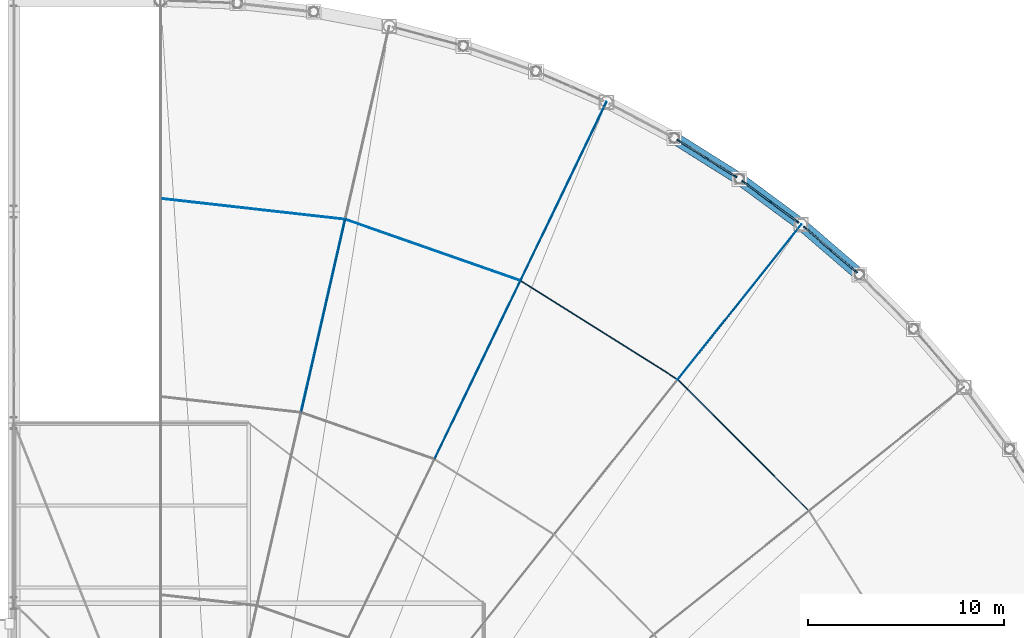
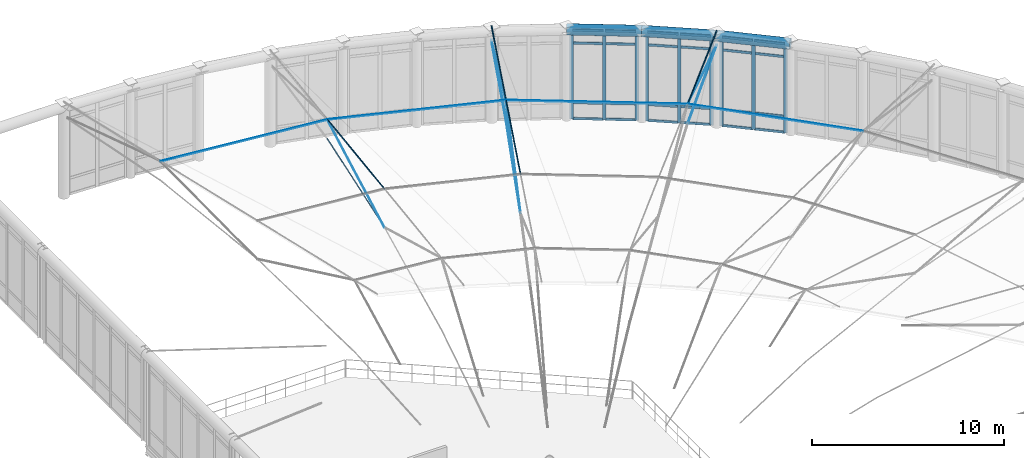
# One storey, part 59 of 101: 49 members, 3 beams, 3 elements without a shape of their own.
"""IFC4 building model written with IfcOpenShell, lengths in metres."""

from ifc_helpers import new_model, si_unit, direction, frame, origin, origin_2d, place, context, subcontext, project, spatial, rectangle, circle, hollow_circle, extrude, material, layer, layer_set, material_profile, profile_set, type_object, element, aggregate, save


model = new_model("IFC4")

# Units and contexts
model_context = context("Model", 3, precision=1e-05, world=origin(), true_north=direction((0.0, 1.0)))
body_context = subcontext(model_context, "Body", "Model", "MODEL_VIEW")
ifc_project = project(units=[si_unit("LENGTHUNIT", "METRE"), si_unit("AREAUNIT", "SQUARE_METRE"), si_unit("VOLUMEUNIT", "CUBIC_METRE"), si_unit("PLANEANGLEUNIT", "RADIAN"), si_unit("MASSUNIT", "GRAM", prefix="KILO"), si_unit("THERMODYNAMICTEMPERATUREUNIT", "KELVIN"), si_unit("POWERUNIT", "WATT")], contexts=[model_context])

# Site, building, storey
site_placement = place(None, origin())
site = spatial("IfcSite", under=ifc_project, at=site_placement, CompositionType="ELEMENT")
building_placement = place(site_placement, origin())
building = spatial("IfcBuilding", under=site, at=building_placement, Name="Tembeka Court Mobility Hub", CompositionType="ELEMENT")
storey_placement = place(building_placement, frame((0.0, 0.0, 5.39990234375)))
storey = spatial("IfcBuildingStorey", under=building, at=storey_placement, Name="L01", CompositionType="ELEMENT", Elevation=5.39990234375)

# Beams
ifc_material_1 = material(Name="Steel S355", Category="steel")
ifc_material_profile_1 = material_profile(ifc_material_1, hollow_circle(Radius=0.304931640625, WallThickness=0.02001953125, at=origin_2d()), Name="CHS 610x20")
ifc_profile_set_1 = profile_set([ifc_material_profile_1], Name="Steel S355")
beam_type = type_object("IfcBeamType", Name="BM-RB01", PredefinedType="BEAM", material=ifc_profile_set_1)
for number, where, z_axis, x_axis, name in (
    (1, (159.609130859375, 104.78515625, 5.695068359375), (-0.757955817926, 0.652305893022, 0.0), (-0.652305893022, -0.757955817926, 0.0), "Concourse compression ring beam RB01-12"),
    (2, (156.63330078125, 107.34619140625, 5.695068359375), (-0.804610156741, 0.593803415003, 0.0), (-0.593803415003, -0.804610156741, 0.0), "Concourse compression ring beam RB01-13"),
):
    element("IfcBeam", number, at=place(storey_placement, frame(where, z_axis=z_axis, x_axis=x_axis)), inside=storey, type_object=beam_type, Name=name, PredefinedType="BEAM", context=body_context, shape_type="SweptSolid", body=[
        extrude(hollow_circle(Radius=0.304931640625, WallThickness=0.02001953125, at=origin_2d()), origin(), (0.0, 0.0, 1.0), 3.926025390625),
    ])
beam_placement = place(storey_placement, frame((153.474365234375, 109.677490234375, 5.695068359375), z_axis=(-0.84672778991, 0.532026361935, 0.0), x_axis=(-0.532026361935, -0.84672778991, 0.0)))
element("IfcBeam", 3, at=beam_placement, inside=storey, type_object=beam_type, Name="Concourse compression ring beam RB01-14", PredefinedType="BEAM", context=body_context, shape_type="SweptSolid", body=[
    extrude(hollow_circle(Radius=0.304931640625, WallThickness=0.02001953125, at=origin_2d()), origin(), (0.0, 0.0, 1.0), 3.92626953125),
])

# Curtain wall, members
ifc_material_2 = material(Name="Anodised aluminium 6063-T6", Category="aluminium")
ifc_layer = layer(ifc_material_2, 0.199951171875)
ifc_layer_set = layer_set([ifc_layer], Name="Anodised aluminium 6063-T6")
curtain_wall_type = type_object("IfcCurtainWallType", Name="CW-SYS25", PredefinedType="USERDEFINED", material=ifc_layer_set)
curtain_wall_1_placement = place(storey_placement, origin())
curtain_wall_1 = element("IfcCurtainWall", 4, at=curtain_wall_1_placement, inside=storey, type_object=curtain_wall_type, Name="Unitised curtain wall CW25 (CW-L01-066)", ObjectType="UNITISED GLAZING", PredefinedType="USERDEFINED")
ifc_material_profile_2 = material_profile(ifc_material_2, rectangle(XDim=0.074951171875, YDim=0.199951171875, at=origin_2d()), Name="ALU-MUL 75x200")
ifc_profile_set_2 = profile_set([ifc_material_profile_2], Name="Anodised aluminium 6063-T6")
member_type_1 = type_object("IfcMemberType", Name="CW-MUL02", PredefinedType="MULLION", material=ifc_profile_set_2)
member_1_placement = place(storey_placement, frame((159.413818359375, 104.953125, 0.0), z_axis=(0.0, 0.0, 1.0), x_axis=(-0.652306690707, -0.757955131428, 0.0)))
member_1 = element("IfcMember", 5, at=member_1_placement, type_object=member_type_1, Name="CW25 mullion 1", PredefinedType="MULLION", context=body_context, shape_type="SweptSolid", body=[
    extrude(rectangle(XDim=0.074951171875, YDim=0.199951171875, at=origin_2d()), origin(), (0.0, 0.0, 1.0), 5.7001953125),
])
member_2_placement = place(storey_placement, frame((158.12109375, 106.065673828125, 0.0), z_axis=(0.0, 0.0, 1.0), x_axis=(-0.652306690707, -0.757955131428, 0.0)))
member_2 = element("IfcMember", 6, at=member_2_placement, type_object=member_type_1, Name="CW25 mullion 2", PredefinedType="MULLION", context=body_context, shape_type="SweptSolid", body=[
    extrude(rectangle(XDim=0.074951171875, YDim=0.199951171875, at=origin_2d()), origin(), (0.0, 0.0, 1.0), 5.7001953125),
])
member_3_placement = place(storey_placement, frame((156.828369140625, 107.17822265625, 0.0), z_axis=(0.0, 0.0, 1.0), x_axis=(-0.652306690707, -0.757955131428, 0.0)))
member_3 = element("IfcMember", 7, at=member_3_placement, type_object=member_type_1, Name="CW25 mullion 3", PredefinedType="MULLION", context=body_context, shape_type="SweptSolid", body=[
    extrude(rectangle(XDim=0.074951171875, YDim=0.199951171875, at=origin_2d()), origin(), (0.0, 0.0, 1.0), 5.7001953125),
])

curtain_wall_2_placement = place(storey_placement, origin())
curtain_wall_2 = element("IfcCurtainWall", 8, at=curtain_wall_2_placement, inside=storey, type_object=curtain_wall_type, Name="Unitised curtain wall CW25 (CW-L01-068)", ObjectType="UNITISED GLAZING", PredefinedType="USERDEFINED")
member_4_placement = place(storey_placement, frame((156.426025390625, 107.4990234375, 0.0), z_axis=(0.0, 0.0, 1.0), x_axis=(-0.593818252688, -0.804599206298, 0.0)))
member_4 = element("IfcMember", 9, at=member_4_placement, type_object=member_type_1, Name="CW25 mullion 1", PredefinedType="MULLION", context=body_context, shape_type="SweptSolid", body=[
    extrude(rectangle(XDim=0.074951171875, YDim=0.199951171875, at=origin_2d()), origin(), (0.0, 0.0, 1.0), 5.7001953125),
])
member_5_placement = place(storey_placement, frame((155.0537109375, 108.511962890625, 0.0), z_axis=(0.0, 0.0, 1.0), x_axis=(-0.593818252688, -0.804599206298, 0.0)))
member_5 = element("IfcMember", 10, at=member_5_placement, type_object=member_type_1, Name="CW25 mullion 2", PredefinedType="MULLION", context=body_context, shape_type="SweptSolid", body=[
    extrude(rectangle(XDim=0.074951171875, YDim=0.199951171875, at=origin_2d()), origin(), (0.0, 0.0, 1.0), 5.7001953125),
])
member_6_placement = place(storey_placement, frame((153.681396484375, 109.524658203125, 0.0), z_axis=(0.0, 0.0, 1.0), x_axis=(-0.593818252688, -0.804599206298, 0.0)))
member_6 = element("IfcMember", 11, at=member_6_placement, type_object=member_type_1, Name="CW25 mullion 3", PredefinedType="MULLION", context=body_context, shape_type="SweptSolid", body=[
    extrude(rectangle(XDim=0.074951171875, YDim=0.199951171875, at=origin_2d()), origin(), (0.0, 0.0, 1.0), 5.7001953125),
])

curtain_wall_3_placement = place(storey_placement, origin())
curtain_wall_3 = element("IfcCurtainWall", 12, at=curtain_wall_3_placement, inside=storey, type_object=curtain_wall_type, Name="Unitised curtain wall CW25 (CW-L01-070)", ObjectType="UNITISED GLAZING", PredefinedType="USERDEFINED")
member_7_placement = place(storey_placement, frame((153.25634765625, 109.814453125, 0.0), z_axis=(0.0, 0.0, 1.0), x_axis=(-0.532057570744, -0.846708179607, 0.0)))
member_7 = element("IfcMember", 13, at=member_7_placement, type_object=member_type_1, Name="CW25 mullion 1", PredefinedType="MULLION", context=body_context, shape_type="SweptSolid", body=[
    extrude(rectangle(XDim=0.074951171875, YDim=0.199951171875, at=origin_2d()), origin(), (0.0, 0.0, 1.0), 5.7001953125),
])
member_8_placement = place(storey_placement, frame((151.812255859375, 110.721923828125, 0.0), z_axis=(0.0, 0.0, 1.0), x_axis=(-0.532057570744, -0.846708179607, 0.0)))
member_8 = element("IfcMember", 14, at=member_8_placement, type_object=member_type_1, Name="CW25 mullion 2", PredefinedType="MULLION", context=body_context, shape_type="SweptSolid", body=[
    extrude(rectangle(XDim=0.074951171875, YDim=0.199951171875, at=origin_2d()), origin(), (0.0, 0.0, 1.0), 5.7001953125),
])
member_9_placement = place(storey_placement, frame((150.3681640625, 111.62939453125, 0.0), z_axis=(0.0, 0.0, 1.0), x_axis=(-0.532057570744, -0.846708179607, 0.0)))
member_9 = element("IfcMember", 15, at=member_9_placement, type_object=member_type_1, Name="CW25 mullion 3", PredefinedType="MULLION", context=body_context, shape_type="SweptSolid", body=[
    extrude(rectangle(XDim=0.074951171875, YDim=0.199951171875, at=origin_2d()), origin(), (0.0, 0.0, 1.0), 5.7001953125),
])

# Member
ifc_material_profile_3 = material_profile(ifc_material_2, rectangle(XDim=0.074951171875, YDim=0.14990234375, at=origin_2d()), Name="ALU-TRN 75x150")
ifc_profile_set_3 = profile_set([ifc_material_profile_3], Name="Anodised aluminium 6063-T6")
member_type_2 = type_object("IfcMemberType", Name="CW-TRN02", PredefinedType="USERDEFINED", material=ifc_profile_set_3)
member_10_placement = place(storey_placement, frame((159.385498046875, 104.9775390625, 0.03759765625), z_axis=(-0.757912738412, 0.652355946515, 0.0), x_axis=(-0.652355946515, -0.757912738412, 0.0)))
member_10 = element("IfcMember", 16, at=member_10_placement, type_object=member_type_2, Name="CW25 transom 1.1", ObjectType="TRANSOM", PredefinedType="USERDEFINED", context=body_context, shape_type="SweptSolid", body=[
    extrude(rectangle(XDim=0.074951171875, YDim=0.14990234375, at=origin_2d()), origin(), (0.0, 0.0, 1.0), 1.630615234375),
])

member_11_placement = place(storey_placement, frame((159.385498046875, 104.9775390625, 1.050048828125), z_axis=(-0.757912738412, 0.652355946515, 0.0), x_axis=(-0.652355946515, -0.757912738412, 0.0)))
member_11 = element("IfcMember", 17, at=member_11_placement, type_object=member_type_2, Name="CW25 transom 1.2", ObjectType="TRANSOM", PredefinedType="USERDEFINED", context=body_context, shape_type="SweptSolid", body=[
    extrude(rectangle(XDim=0.074951171875, YDim=0.14990234375, at=origin_2d()), origin(), (0.0, 0.0, 1.0), 1.630615234375),
])

member_12_placement = place(storey_placement, frame((159.385498046875, 104.9775390625, 4.85009765625), z_axis=(-0.757912738412, 0.652355946515, 0.0), x_axis=(-0.652355946515, -0.757912738412, 0.0)))
member_12 = element("IfcMember", 18, at=member_12_placement, type_object=member_type_2, Name="CW25 transom 1.3", ObjectType="TRANSOM", PredefinedType="USERDEFINED", context=body_context, shape_type="SweptSolid", body=[
    extrude(rectangle(XDim=0.074951171875, YDim=0.14990234375, at=origin_2d()), origin(), (0.0, 0.0, 1.0), 1.630615234375),
])

member_13_placement = place(storey_placement, frame((159.385498046875, 104.9775390625, 5.66259765625), z_axis=(-0.757912738412, 0.652355946515, 0.0), x_axis=(-0.652355946515, -0.757912738412, 0.0)))
member_13 = element("IfcMember", 19, at=member_13_placement, type_object=member_type_2, Name="CW25 transom 1.4", ObjectType="TRANSOM", PredefinedType="USERDEFINED", context=body_context, shape_type="SweptSolid", body=[
    extrude(rectangle(XDim=0.074951171875, YDim=0.14990234375, at=origin_2d()), origin(), (0.0, 0.0, 1.0), 1.630615234375),
])

member_14_placement = place(storey_placement, frame((158.0927734375, 106.090087890625, 0.03759765625), z_axis=(-0.757912738412, 0.652355946515, 0.0), x_axis=(-0.652355946515, -0.757912738412, 0.0)))
member_14 = element("IfcMember", 20, at=member_14_placement, type_object=member_type_2, Name="CW25 transom 2.1", ObjectType="TRANSOM", PredefinedType="USERDEFINED", context=body_context, shape_type="SweptSolid", body=[
    extrude(rectangle(XDim=0.074951171875, YDim=0.14990234375, at=origin_2d()), origin(), (0.0, 0.0, 1.0), 1.630615234375),
])

member_15_placement = place(storey_placement, frame((158.0927734375, 106.090087890625, 1.050048828125), z_axis=(-0.757912738412, 0.652355946515, 0.0), x_axis=(-0.652355946515, -0.757912738412, 0.0)))
member_15 = element("IfcMember", 21, at=member_15_placement, type_object=member_type_2, Name="CW25 transom 2.2", ObjectType="TRANSOM", PredefinedType="USERDEFINED", context=body_context, shape_type="SweptSolid", body=[
    extrude(rectangle(XDim=0.074951171875, YDim=0.14990234375, at=origin_2d()), origin(), (0.0, 0.0, 1.0), 1.630615234375),
])

member_16_placement = place(storey_placement, frame((158.0927734375, 106.090087890625, 4.85009765625), z_axis=(-0.757912738412, 0.652355946515, 0.0), x_axis=(-0.652355946515, -0.757912738412, 0.0)))
member_16 = element("IfcMember", 22, at=member_16_placement, type_object=member_type_2, Name="CW25 transom 2.3", ObjectType="TRANSOM", PredefinedType="USERDEFINED", context=body_context, shape_type="SweptSolid", body=[
    extrude(rectangle(XDim=0.074951171875, YDim=0.14990234375, at=origin_2d()), origin(), (0.0, 0.0, 1.0), 1.630615234375),
])

member_17_placement = place(storey_placement, frame((158.0927734375, 106.090087890625, 5.66259765625), z_axis=(-0.757912738412, 0.652355946515, 0.0), x_axis=(-0.652355946515, -0.757912738412, 0.0)))
member_17 = element("IfcMember", 23, at=member_17_placement, type_object=member_type_2, Name="CW25 transom 2.4", ObjectType="TRANSOM", PredefinedType="USERDEFINED", context=body_context, shape_type="SweptSolid", body=[
    extrude(rectangle(XDim=0.074951171875, YDim=0.14990234375, at=origin_2d()), origin(), (0.0, 0.0, 1.0), 1.630615234375),
])

aggregate(curtain_wall_1, [member_1, member_2, member_3, member_10, member_11, member_12, member_13, member_14, member_15, member_16, member_17])

member_18_placement = place(storey_placement, frame((156.395751953125, 107.521240234375, 0.03759765625), z_axis=(-0.804558748031, 0.59387306806, 0.0), x_axis=(-0.59387306806, -0.804558748031, 0.0)))
member_18 = element("IfcMember", 24, at=member_18_placement, type_object=member_type_2, Name="CW25 transom 1.1", ObjectType="TRANSOM", PredefinedType="USERDEFINED", context=body_context, shape_type="SweptSolid", body=[
    extrude(rectangle(XDim=0.074951171875, YDim=0.14990234375, at=origin_2d()), origin(), (0.0, 0.0, 1.0), 1.63037109375),
])

member_19_placement = place(storey_placement, frame((156.395751953125, 107.521240234375, 1.050048828125), z_axis=(-0.804558748031, 0.59387306806, 0.0), x_axis=(-0.59387306806, -0.804558748031, 0.0)))
member_19 = element("IfcMember", 25, at=member_19_placement, type_object=member_type_2, Name="CW25 transom 1.2", ObjectType="TRANSOM", PredefinedType="USERDEFINED", context=body_context, shape_type="SweptSolid", body=[
    extrude(rectangle(XDim=0.074951171875, YDim=0.14990234375, at=origin_2d()), origin(), (0.0, 0.0, 1.0), 1.63037109375),
])

member_20_placement = place(storey_placement, frame((156.395751953125, 107.521240234375, 4.85009765625), z_axis=(-0.804558748031, 0.59387306806, 0.0), x_axis=(-0.59387306806, -0.804558748031, 0.0)))
member_20 = element("IfcMember", 26, at=member_20_placement, type_object=member_type_2, Name="CW25 transom 1.3", ObjectType="TRANSOM", PredefinedType="USERDEFINED", context=body_context, shape_type="SweptSolid", body=[
    extrude(rectangle(XDim=0.074951171875, YDim=0.14990234375, at=origin_2d()), origin(), (0.0, 0.0, 1.0), 1.63037109375),
])

member_21_placement = place(storey_placement, frame((156.395751953125, 107.521240234375, 5.66259765625), z_axis=(-0.804558748031, 0.59387306806, 0.0), x_axis=(-0.59387306806, -0.804558748031, 0.0)))
member_21 = element("IfcMember", 27, at=member_21_placement, type_object=member_type_2, Name="CW25 transom 1.4", ObjectType="TRANSOM", PredefinedType="USERDEFINED", context=body_context, shape_type="SweptSolid", body=[
    extrude(rectangle(XDim=0.074951171875, YDim=0.14990234375, at=origin_2d()), origin(), (0.0, 0.0, 1.0), 1.63037109375),
])

member_22_placement = place(storey_placement, frame((155.023681640625, 108.5341796875, 0.03759765625), z_axis=(-0.804611549949, 0.593801527186, 0.0), x_axis=(-0.593801527186, -0.804611549949, 0.0)))
member_22 = element("IfcMember", 28, at=member_22_placement, type_object=member_type_2, Name="CW25 transom 2.1", ObjectType="TRANSOM", PredefinedType="USERDEFINED", context=body_context, shape_type="SweptSolid", body=[
    extrude(rectangle(XDim=0.074951171875, YDim=0.14990234375, at=origin_2d()), origin(), (0.0, 0.0, 1.0), 1.630615234375),
])

member_23_placement = place(storey_placement, frame((155.023681640625, 108.5341796875, 1.050048828125), z_axis=(-0.804611549949, 0.593801527186, 0.0), x_axis=(-0.593801527186, -0.804611549949, 0.0)))
member_23 = element("IfcMember", 29, at=member_23_placement, type_object=member_type_2, Name="CW25 transom 2.2", ObjectType="TRANSOM", PredefinedType="USERDEFINED", context=body_context, shape_type="SweptSolid", body=[
    extrude(rectangle(XDim=0.074951171875, YDim=0.14990234375, at=origin_2d()), origin(), (0.0, 0.0, 1.0), 1.630615234375),
])

member_24_placement = place(storey_placement, frame((155.023681640625, 108.5341796875, 4.85009765625), z_axis=(-0.804611549949, 0.593801527186, 0.0), x_axis=(-0.593801527186, -0.804611549949, 0.0)))
member_24 = element("IfcMember", 30, at=member_24_placement, type_object=member_type_2, Name="CW25 transom 2.3", ObjectType="TRANSOM", PredefinedType="USERDEFINED", context=body_context, shape_type="SweptSolid", body=[
    extrude(rectangle(XDim=0.074951171875, YDim=0.14990234375, at=origin_2d()), origin(), (0.0, 0.0, 1.0), 1.630615234375),
])

member_25_placement = place(storey_placement, frame((155.023681640625, 108.5341796875, 5.66259765625), z_axis=(-0.804611549949, 0.593801527186, 0.0), x_axis=(-0.593801527186, -0.804611549949, 0.0)))
member_25 = element("IfcMember", 31, at=member_25_placement, type_object=member_type_2, Name="CW25 transom 2.4", ObjectType="TRANSOM", PredefinedType="USERDEFINED", context=body_context, shape_type="SweptSolid", body=[
    extrude(rectangle(XDim=0.074951171875, YDim=0.14990234375, at=origin_2d()), origin(), (0.0, 0.0, 1.0), 1.630615234375),
])

aggregate(curtain_wall_2, [member_4, member_5, member_6, member_18, member_19, member_20, member_21, member_22, member_23, member_24, member_25])

member_26_placement = place(storey_placement, frame((153.224609375, 109.83447265625, 0.03759765625), z_axis=(-0.846742546133, 0.532002876465, 0.0), x_axis=(-0.532002876465, -0.846742546133, 0.0)))
member_26 = element("IfcMember", 32, at=member_26_placement, type_object=member_type_2, Name="CW25 transom 1.1", ObjectType="TRANSOM", PredefinedType="USERDEFINED", context=body_context, shape_type="SweptSolid", body=[
    extrude(rectangle(XDim=0.074951171875, YDim=0.14990234375, at=origin_2d()), origin(), (0.0, 0.0, 1.0), 1.630615234375),
])

member_27_placement = place(storey_placement, frame((153.224609375, 109.83447265625, 1.050048828125), z_axis=(-0.846742546133, 0.532002876465, 0.0), x_axis=(-0.532002876465, -0.846742546133, 0.0)))
member_27 = element("IfcMember", 33, at=member_27_placement, type_object=member_type_2, Name="CW25 transom 1.2", ObjectType="TRANSOM", PredefinedType="USERDEFINED", context=body_context, shape_type="SweptSolid", body=[
    extrude(rectangle(XDim=0.074951171875, YDim=0.14990234375, at=origin_2d()), origin(), (0.0, 0.0, 1.0), 1.630615234375),
])

member_28_placement = place(storey_placement, frame((153.224609375, 109.83447265625, 4.85009765625), z_axis=(-0.846742546133, 0.532002876465, 0.0), x_axis=(-0.532002876465, -0.846742546133, 0.0)))
member_28 = element("IfcMember", 34, at=member_28_placement, type_object=member_type_2, Name="CW25 transom 1.3", ObjectType="TRANSOM", PredefinedType="USERDEFINED", context=body_context, shape_type="SweptSolid", body=[
    extrude(rectangle(XDim=0.074951171875, YDim=0.14990234375, at=origin_2d()), origin(), (0.0, 0.0, 1.0), 1.630615234375),
])

member_29_placement = place(storey_placement, frame((153.224609375, 109.83447265625, 5.66259765625), z_axis=(-0.846742546133, 0.532002876465, 0.0), x_axis=(-0.532002876465, -0.846742546133, 0.0)))
member_29 = element("IfcMember", 35, at=member_29_placement, type_object=member_type_2, Name="CW25 transom 1.4", ObjectType="TRANSOM", PredefinedType="USERDEFINED", context=body_context, shape_type="SweptSolid", body=[
    extrude(rectangle(XDim=0.074951171875, YDim=0.14990234375, at=origin_2d()), origin(), (0.0, 0.0, 1.0), 1.630615234375),
])

member_30_placement = place(storey_placement, frame((151.780517578125, 110.741943359375, 0.03759765625), z_axis=(-0.846742546133, 0.532002876465, 0.0), x_axis=(-0.532002876465, -0.846742546133, 0.0)))
member_30 = element("IfcMember", 36, at=member_30_placement, type_object=member_type_2, Name="CW25 transom 2.1", ObjectType="TRANSOM", PredefinedType="USERDEFINED", context=body_context, shape_type="SweptSolid", body=[
    extrude(rectangle(XDim=0.074951171875, YDim=0.14990234375, at=origin_2d()), origin(), (0.0, 0.0, 1.0), 1.630615234375),
])

member_31_placement = place(storey_placement, frame((151.780517578125, 110.741943359375, 1.050048828125), z_axis=(-0.846742546133, 0.532002876465, 0.0), x_axis=(-0.532002876465, -0.846742546133, 0.0)))
member_31 = element("IfcMember", 37, at=member_31_placement, type_object=member_type_2, Name="CW25 transom 2.2", ObjectType="TRANSOM", PredefinedType="USERDEFINED", context=body_context, shape_type="SweptSolid", body=[
    extrude(rectangle(XDim=0.074951171875, YDim=0.14990234375, at=origin_2d()), origin(), (0.0, 0.0, 1.0), 1.630615234375),
])

member_32_placement = place(storey_placement, frame((151.780517578125, 110.741943359375, 4.85009765625), z_axis=(-0.846742546133, 0.532002876465, 0.0), x_axis=(-0.532002876465, -0.846742546133, 0.0)))
member_32 = element("IfcMember", 38, at=member_32_placement, type_object=member_type_2, Name="CW25 transom 2.3", ObjectType="TRANSOM", PredefinedType="USERDEFINED", context=body_context, shape_type="SweptSolid", body=[
    extrude(rectangle(XDim=0.074951171875, YDim=0.14990234375, at=origin_2d()), origin(), (0.0, 0.0, 1.0), 1.630615234375),
])

member_33_placement = place(storey_placement, frame((151.780517578125, 110.741943359375, 5.66259765625), z_axis=(-0.846742546133, 0.532002876465, 0.0), x_axis=(-0.532002876465, -0.846742546133, 0.0)))
member_33 = element("IfcMember", 39, at=member_33_placement, type_object=member_type_2, Name="CW25 transom 2.4", ObjectType="TRANSOM", PredefinedType="USERDEFINED", context=body_context, shape_type="SweptSolid", body=[
    extrude(rectangle(XDim=0.074951171875, YDim=0.14990234375, at=origin_2d()), origin(), (0.0, 0.0, 1.0), 1.630615234375),
])

aggregate(curtain_wall_3, [member_7, member_8, member_9, member_26, member_27, member_28, member_29, member_30, member_31, member_32, member_33])

# Members
ifc_material_3 = material(Name="Steel S460", Category="steel")
ifc_material_profile_4 = material_profile(ifc_material_3, circle(Radius=0.031982421875, at=origin_2d()), Name="CABLE D64")
ifc_profile_set_4 = profile_set([ifc_material_profile_4], Name="Steel S460")
member_type_3 = type_object("IfcMemberType", Name="MEM-CB01", PredefinedType="USERDEFINED", material=ifc_profile_set_4)
for number, where, z_axis, x_axis, name in (
    (40, (150.3203125, 99.43017578125, 8.35009765625), (0.607354883394, 0.761577644798, -0.22609629931), (-0.781822986173, 0.623500455726, 0.0), "Concourse radial ridge cable CB01-5-4"),
    (41, (137.892578125, 95.356201171875, 10.7001953125), (0.422666758039, 0.87762953121, -0.226095593936), (-0.90095977765, 0.433902614715, 0.0), "Concourse radial ridge cable CB01-6-3"),
):
    element("IfcMember", number, at=place(storey_placement, frame(where, z_axis=z_axis, x_axis=x_axis)), inside=storey, type_object=member_type_3, Name=name, ObjectType="CABLE", PredefinedType="USERDEFINED", context=body_context, shape_type="SweptSolid", body=[
        extrude(circle(Radius=0.031982421875, at=origin_2d()), origin(), (0.0, 0.0, 1.0), 10.394287109375),
    ])
for number, where, z_axis, x_axis, name in (
    (42, (142.285888671875, 104.478515625, 8.35009765625), (0.422647465808, 0.877638243854, -0.226097838494), (-0.900969203767, 0.433883041686, 0.0), "Concourse radial ridge cable CB01-6-4"),
    (43, (131.076416015625, 97.741455078125, 10.7001953125), (0.21675099133, 0.949683147102, -0.226099376088), (-0.974929691537, 0.222513137948, 0.0), "Concourse radial ridge cable CB01-7-3"),
):
    element("IfcMember", number, at=place(storey_placement, frame(where, z_axis=z_axis, x_axis=x_axis)), inside=storey, type_object=member_type_3, Name=name, ObjectType="CABLE", PredefinedType="USERDEFINED", context=body_context, shape_type="SweptSolid", body=[
        extrude(circle(Radius=0.031982421875, at=origin_2d()), origin(), (0.0, 0.0, 1.0), 10.39404296875),
    ])
ifc_material_profile_5 = material_profile(ifc_material_3, circle(Radius=0.02392578125, at=origin_2d()), Name="CABLE D48")
ifc_profile_set_5 = profile_set([ifc_material_profile_5], Name="Steel S460")
member_type_4 = type_object("IfcMemberType", Name="MEM-CB02", PredefinedType="USERDEFINED", material=ifc_profile_set_5)
member_34_placement = place(storey_placement, frame((150.3203125, 99.43017578125, 7.125), z_axis=(0.611393804119, 0.766642149615, -0.19610566213), x_axis=(-0.781822986173, 0.623500455726, 0.0)))
element("IfcMember", 44, at=member_34_placement, inside=storey, type_object=member_type_4, Name="Concourse radial valley cable CB02-5-4", ObjectType="CABLE", PredefinedType="USERDEFINED", context=body_context, shape_type="SweptSolid", body=[
    extrude(circle(Radius=0.02392578125, at=origin_2d()), origin(), (0.0, 0.0, 1.0), 10.32568359375),
])
member_35_placement = place(storey_placement, frame((137.892578125, 95.356201171875, 8.25), z_axis=(0.431248806948, 0.895449384364, -0.110430369681), x_axis=(-0.90095977765, 0.433902614715, 0.0)))
element("IfcMember", 45, at=member_35_placement, inside=storey, type_object=member_type_4, Name="Concourse radial valley cable CB02-6-3", ObjectType="CABLE", PredefinedType="USERDEFINED", context=body_context, shape_type="SweptSolid", body=[
    extrude(circle(Radius=0.02392578125, at=origin_2d()), origin(), (0.0, 0.0, 1.0), 10.1875),
])
member_36_placement = place(storey_placement, frame((142.285888671875, 104.478515625, 7.125), z_axis=(0.425458117586, 0.883474633967, -0.196107014964), x_axis=(-0.900969203767, 0.433883041686, 0.0)))
element("IfcMember", 46, at=member_36_placement, inside=storey, type_object=member_type_4, Name="Concourse radial valley cable CB02-6-4", ObjectType="CABLE", PredefinedType="USERDEFINED", context=body_context, shape_type="SweptSolid", body=[
    extrude(circle(Radius=0.02392578125, at=origin_2d()), origin(), (0.0, 0.0, 1.0), 10.325439453125),
])
member_37_placement = place(storey_placement, frame((131.076416015625, 97.741455078125, 8.25), z_axis=(0.221152169602, 0.968966679818, -0.110432292753), x_axis=(-0.974929691537, 0.222513137948, 0.0)))
element("IfcMember", 47, at=member_37_placement, inside=storey, type_object=member_type_4, Name="Concourse radial valley cable CB02-7-3", ObjectType="CABLE", PredefinedType="USERDEFINED", context=body_context, shape_type="SweptSolid", body=[
    extrude(circle(Radius=0.02392578125, at=origin_2d()), origin(), (0.0, 0.0, 1.0), 10.187255859375),
])
member_38_placement = place(storey_placement, frame((157.030029296875, 92.720458984375, 8.35009765625), z_axis=(-0.707106781187, 0.707106781187, 0.0), x_axis=(-0.707106781187, -0.707106781187, 0.0)))
element("IfcMember", 48, at=member_38_placement, inside=storey, type_object=member_type_4, Name="Concourse circumferential hoop cable CB02-B4-3", ObjectType="CABLE", PredefinedType="USERDEFINED", context=body_context, shape_type="SweptSolid", body=[
    extrude(circle(Radius=0.02392578125, at=origin_2d()), origin(), (0.0, 0.0, 1.0), 9.489013671875),
])
member_39_placement = place(storey_placement, frame((150.3203125, 99.43017578125, 8.35009765625), z_axis=(-0.846725302742, 0.53203032028, 0.0), x_axis=(-0.53203032028, -0.846725302742, 0.0)))
element("IfcMember", 49, at=member_39_placement, inside=storey, type_object=member_type_4, Name="Concourse circumferential hoop cable CB02-B5-3", ObjectType="CABLE", PredefinedType="USERDEFINED", context=body_context, shape_type="SweptSolid", body=[
    extrude(circle(Radius=0.02392578125, at=origin_2d()), origin(), (0.0, 0.0, 1.0), 9.48876953125),
])
for number, where, z_axis, x_axis, name in (
    (50, (142.285888671875, 104.478515625, 8.35009765625), (-0.943883222862, 0.33027936902, 0.0), (-0.33027936902, -0.943883222862, 0.0), "Concourse circumferential hoop cable CB02-B6-3"),
    (51, (133.329345703125, 107.612548828125, 8.35009765625), (-0.993711542777, 0.111970396763, 0.0), (-0.111970396763, -0.993711542777, 0.0), "Concourse circumferential hoop cable CB02-B7-3"),
):
    element("IfcMember", number, at=place(storey_placement, frame(where, z_axis=z_axis, x_axis=x_axis)), inside=storey, type_object=member_type_4, Name=name, ObjectType="CABLE", PredefinedType="USERDEFINED", context=body_context, shape_type="SweptSolid", body=[
        extrude(circle(Radius=0.02392578125, at=origin_2d()), origin(), (0.0, 0.0, 1.0), 9.489013671875),
    ])
ifc_material_profile_6 = material_profile(ifc_material_3, circle(Radius=0.01806640625, at=origin_2d()), Name="CABLE D36")
ifc_profile_set_6 = profile_set([ifc_material_profile_6], Name="Steel S460")
member_type_5 = type_object("IfcMemberType", Name="MEM-CB03", PredefinedType="USERDEFINED", material=ifc_profile_set_6)
member_40_placement = place(storey_placement, frame((150.3203125, 99.43017578125, 8.35009765625), z_axis=(0.593666857681, 0.744413883264, -0.305626622687), x_axis=(-0.781822986173, 0.623500455726, 0.0)))
element("IfcMember", 52, at=member_40_placement, inside=storey, type_object=member_type_5, Name="Concourse Jawerth web cable CB03-5-4", ObjectType="CABLE", PredefinedType="USERDEFINED", context=body_context, shape_type="SweptSolid", body=[
    extrude(circle(Radius=0.01806640625, at=origin_2d()), origin(), (0.0, 0.0, 1.0), 10.6337890625),
])
member_41_placement = place(storey_placement, frame((137.892578125, 95.356201171875, 8.25), z_axis=(0.43388141261, 0.900915753385, 0.009885600398), x_axis=(-0.90095977765, 0.433902614715, 0.0)))
element("IfcMember", 53, at=member_41_placement, inside=storey, type_object=member_type_5, Name="Concourse Jawerth web cable CB03-6-3", ObjectType="CABLE", PredefinedType="USERDEFINED", context=body_context, shape_type="SweptSolid", body=[
    extrude(circle(Radius=0.01806640625, at=origin_2d()), origin(), (0.0, 0.0, 1.0), 10.12548828125),
])
member_42_placement = place(storey_placement, frame((142.285888671875, 104.478515625, 8.35009765625), z_axis=(0.413122086721, 0.857858551202, -0.305628610561), x_axis=(-0.900969203767, 0.433883041686, 0.0)))
element("IfcMember", 54, at=member_42_placement, inside=storey, type_object=member_type_5, Name="Concourse Jawerth web cable CB03-6-4", ObjectType="CABLE", PredefinedType="USERDEFINED", context=body_context, shape_type="SweptSolid", body=[
    extrude(circle(Radius=0.01806640625, at=origin_2d()), origin(), (0.0, 0.0, 1.0), 10.6337890625),
])
member_43_placement = place(storey_placement, frame((131.076416015625, 97.741455078125, 8.25), z_axis=(0.22250226474, 0.974882051145, 0.009885774658), x_axis=(-0.974929691537, 0.222513137948, 0.0)))
element("IfcMember", 55, at=member_43_placement, inside=storey, type_object=member_type_5, Name="Concourse Jawerth web cable CB03-7-3", ObjectType="CABLE", PredefinedType="USERDEFINED", context=body_context, shape_type="SweptSolid", body=[
    extrude(circle(Radius=0.01806640625, at=origin_2d()), origin(), (0.0, 0.0, 1.0), 10.12548828125),
])

save(model, "model.ifc")
